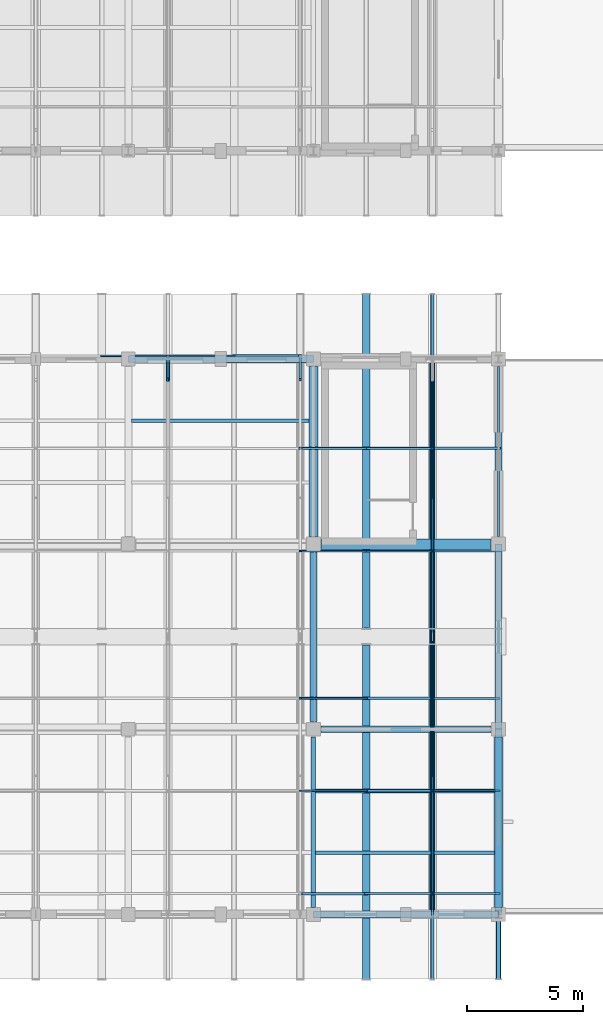
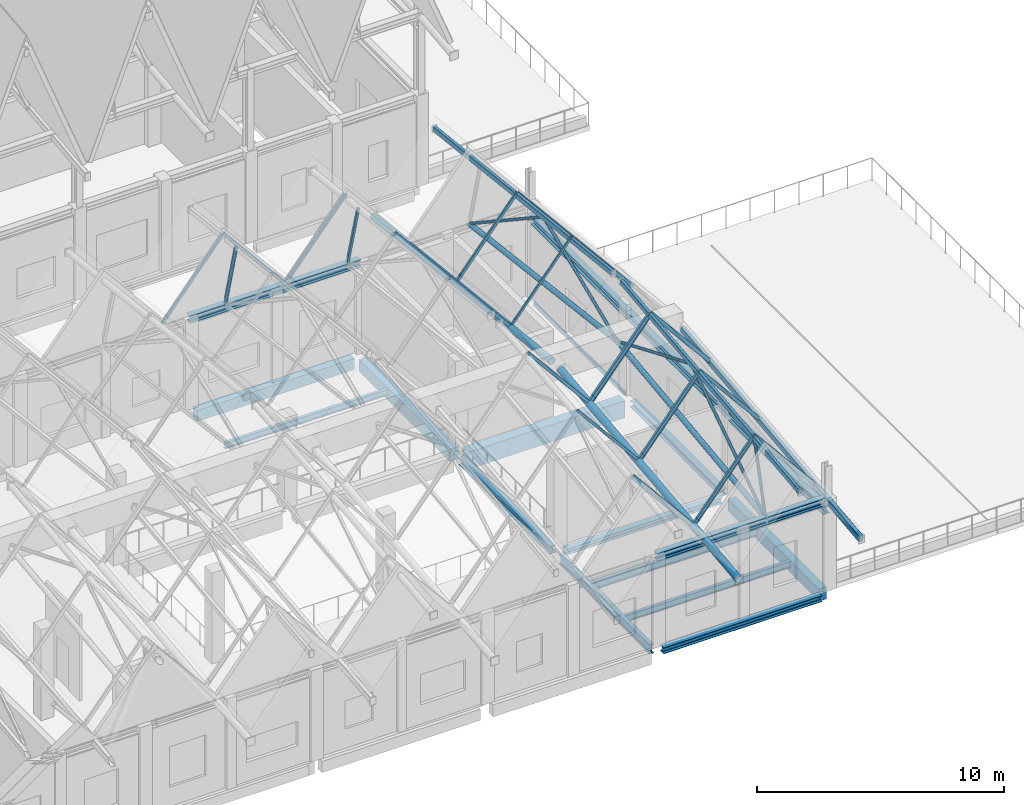
# One storey, part 13 of 77: 27 members, 23 beams.
"""IFC4 building model written with IfcOpenShell, lengths in metres."""

from ifc_helpers import new_model, si_unit, direction, frame, origin, origin_2d, place, context, subcontext, project, spatial, rectangle, hollow_rectangle, hollow_circle, i_section, extrude, material, material_profile, profile_set, type_object, element, save


model = new_model("IFC4")

# Units and contexts
model_context = context("Model", 3, precision=1e-05, world=origin(), true_north=direction((0.0, 1.0)))
body_context = subcontext(model_context, "Body", "Model", "MODEL_VIEW")
ifc_project = project(units=[si_unit("LENGTHUNIT", "METRE"), si_unit("AREAUNIT", "SQUARE_METRE"), si_unit("VOLUMEUNIT", "CUBIC_METRE"), si_unit("PLANEANGLEUNIT", "RADIAN"), si_unit("MASSUNIT", "GRAM", prefix="KILO")], contexts=[model_context])

# Site, building, storey
site_placement = place(None, origin())
site = spatial("IfcSite", under=ifc_project, at=site_placement, CompositionType="ELEMENT")
building_placement = place(site_placement, origin())
building = spatial("IfcBuilding", under=site, at=building_placement, Name="Luwemba Playhouse", CompositionType="ELEMENT")
storey_placement = place(building_placement, frame((0.0, 0.0, 9.300048828125)))
storey = spatial("IfcBuildingStorey", under=building, at=storey_placement, Name="L02", CompositionType="ELEMENT", Elevation=9.300048828125)

# Beams
ifc_material_1 = material(Name="Concrete C40/50", Category="concrete")
ifc_material_profile_1 = material_profile(ifc_material_1, rectangle(XDim=0.39990234375, YDim=0.60009765625, at=origin_2d()))
ifc_profile_set_1 = profile_set([ifc_material_profile_1], Name="Concrete C40/50")
beam_type_1 = type_object("IfcBeamType", Name="BM-RB01", PredefinedType="BEAM", material=ifc_profile_set_1)
beam_1_placement = place(storey_placement, frame((36.0, 19.324951171875, -0.550048828125), z_axis=(0.0, 1.0, 0.0), x_axis=(-1.0, 0.0, 0.0)))
element("IfcBeam", 1, at=beam_1_placement, inside=storey, type_object=beam_type_1, Name="L02 transverse girder 0792", PredefinedType="BEAM", context=body_context, shape_type="SweptSolid", body=[
    extrude(rectangle(XDim=0.39990234375, YDim=0.60009765625, at=origin_2d()), origin(), (0.0, 0.0, 1.0), 7.35009765625),
])
ifc_material_profile_2 = material_profile(ifc_material_1, rectangle(XDim=0.449951171875, YDim=0.85009765625, at=origin_2d()))
ifc_profile_set_2 = profile_set([ifc_material_profile_2], Name="Concrete C40/50")
beam_type_2 = type_object("IfcBeamType", Name="BM-RB05", PredefinedType="BEAM", material=ifc_profile_set_2)
beam_2_placement = place(storey_placement, frame((36.324951171875, 19.0, -0.675048828125), z_axis=(1.0, 0.0, 0.0), x_axis=(0.0, 1.0, 0.0)))
element("IfcBeam", 2, at=beam_2_placement, inside=storey, type_object=beam_type_2, Name="L02 grid girder 0773", PredefinedType="BEAM", context=body_context, shape_type="SweptSolid", body=[
    extrude(rectangle(XDim=0.449951171875, YDim=0.85009765625, at=origin_2d()), origin(), (0.0, 0.0, 1.0), 7.35009765625),
])
ifc_material_2 = material(Name="Steel S355", Category="steel")
ifc_material_profile_3 = material_profile(ifc_material_2, hollow_rectangle(XDim=0.14990234375, YDim=0.25, WallThickness=0.010009765625, InnerFilletRadius=0.014892578125, OuterFilletRadius=0.02490234375, at=origin_2d()))
ifc_profile_set_3 = profile_set([ifc_material_profile_3], Name="Steel S355")
beam_type_3 = type_object("IfcBeamType", Name="BM-RTG1", PredefinedType="USERDEFINED", material=ifc_profile_set_3)
for number, where, z_axis, x_axis, name in (
    (3, (41.142822265625, 0.199951171875, 7.391357421875), (0.0, 0.993769566516, 0.111454244725), (-1.0, 0.0, 0.0), "ROOF TRUSS ridge girder 0287"),
    (4, (41.142822265625, 15.35009765625, 9.011962890625), (0.0, 0.993769566516, -0.111454244725), (-1.0, 0.0, 0.0), "ROOF TRUSS ridge girder 0288"),
):
    element("IfcBeam", number, at=place(storey_placement, frame(where, z_axis=z_axis, x_axis=x_axis)), inside=storey, type_object=beam_type_3, Name=name, ObjectType="ROOF TRUSS", PredefinedType="USERDEFINED", context=body_context, shape_type="SweptSolid", body=[
        extrude(hollow_rectangle(XDim=0.14990234375, YDim=0.25, WallThickness=0.010009765625, InnerFilletRadius=0.014892578125, OuterFilletRadius=0.02490234375, at=origin_2d()), origin(), (0.0, 0.0, 1.0), 14.54052734375),
    ])
ifc_material_profile_4 = material_profile(ifc_material_2, hollow_rectangle(XDim=0.199951171875, YDim=0.300048828125, WallThickness=0.012451171875, InnerFilletRadius=0.018798828125, OuterFilletRadius=0.03125, at=origin_2d()))
ifc_profile_set_4 = profile_set([ifc_material_profile_4], Name="Steel S355")
beam_type_4 = type_object("IfcBeamType", Name="BM-RTG2", PredefinedType="USERDEFINED", material=ifc_profile_set_4)
beam_3_placement = place(storey_placement, frame((44.0, 0.199951171875, 4.061279296875), z_axis=(0.0, 0.993767706686, 0.111470826443), x_axis=(-1.0, 0.0, 0.0)))
element("IfcBeam", 5, at=beam_3_placement, inside=storey, type_object=beam_type_4, Name="ROOF TRUSS valley girder 0289", ObjectType="ROOF TRUSS", PredefinedType="USERDEFINED", context=body_context, shape_type="SweptSolid", body=[
    extrude(hollow_rectangle(XDim=0.199951171875, YDim=0.300048828125, WallThickness=0.012451171875, InnerFilletRadius=0.018798828125, OuterFilletRadius=0.03125, at=origin_2d()), origin(), (0.0, 0.0, 1.0), 14.54052734375),
])
ifc_material_profile_5 = material_profile(ifc_material_2, hollow_circle(Radius=0.161865234375, WallThickness=0.01611328125, at=origin_2d()))
ifc_profile_set_5 = profile_set([ifc_material_profile_5], Name="Steel S355")
beam_type_5 = type_object("IfcBeamType", Name="BM-RTG4", PredefinedType="USERDEFINED", material=ifc_profile_set_5)
for number, where, z_axis, x_axis, name in (
    (6, (38.28564453125, 0.199951171875, 4.04931640625), (0.0, 0.993767706686, 0.111470826443), (-1.0, 0.0, 0.0), "ROOF TRUSS valley girder 0285"),
    (7, (38.28564453125, 15.35009765625, 5.670166015625), (0.0, 0.993767706686, -0.111470826443), (-1.0, 0.0, 0.0), "ROOF TRUSS valley girder 0286"),
):
    element("IfcBeam", number, at=place(storey_placement, frame(where, z_axis=z_axis, x_axis=x_axis)), inside=storey, type_object=beam_type_5, Name=name, ObjectType="ROOF TRUSS", PredefinedType="USERDEFINED", context=body_context, shape_type="SweptSolid", body=[
        extrude(hollow_circle(Radius=0.161865234375, WallThickness=0.01611328125, at=origin_2d()), origin(), (0.0, 0.0, 1.0), 14.54052734375),
    ])
ifc_material_profile_6 = material_profile(ifc_material_2, i_section(OverallWidth=0.300048828125, OverallDepth=0.2900390625, WebThickness=0.008544921875, FlangeThickness=0.013916015625, FilletRadius=0.027099609375, at=origin_2d()))
ifc_profile_set_6 = profile_set([ifc_material_profile_6], Name="Steel S355")
beam_type_6 = type_object("IfcBeamType", Name="BM-SB03", PredefinedType="BEAM", material=ifc_profile_set_6)
beam_4_placement = place(storey_placement, frame((36.324951171875, 11.0, -0.39501953125), z_axis=(1.0, 0.0, 0.0), x_axis=(0.0, 1.0, 0.0)))
element("IfcBeam", 8, at=beam_4_placement, inside=storey, type_object=beam_type_6, Name="L02 grid girder 0768", PredefinedType="BEAM", context=body_context, shape_type="SweptSolid", body=[
    extrude(i_section(OverallWidth=0.300048828125, OverallDepth=0.2900390625, WebThickness=0.008544921875, FlangeThickness=0.013916015625, FilletRadius=0.027099609375, at=origin_2d()), origin(), (0.0, 0.0, 1.0), 7.35009765625),
])
ifc_material_profile_7 = material_profile(ifc_material_2, i_section(OverallWidth=0.18994140625, OverallDepth=0.449951171875, WebThickness=0.009521484375, FlangeThickness=0.0146484375, FilletRadius=0.02099609375, at=origin_2d()))
ifc_profile_set_7 = profile_set([ifc_material_profile_7], Name="Steel S355")
beam_type_7 = type_object("IfcBeamType", Name="BM-SB06", PredefinedType="BEAM", material=ifc_profile_set_7)
beam_5_placement = place(storey_placement, frame((36.0, 3.300048828125, -0.47509765625), z_axis=(0.0, 1.0, 0.0), x_axis=(-1.0, 0.0, 0.0)))
element("IfcBeam", 9, at=beam_5_placement, inside=storey, type_object=beam_type_7, Name="L02 transverse girder 0790", PredefinedType="BEAM", context=body_context, shape_type="SweptSolid", body=[
    extrude(i_section(OverallWidth=0.18994140625, OverallDepth=0.449951171875, WebThickness=0.009521484375, FlangeThickness=0.0146484375, FilletRadius=0.02099609375, at=origin_2d()), origin(), (0.0, 0.0, 1.0), 7.375),
])
ifc_material_profile_8 = material_profile(ifc_material_2, i_section(OverallWidth=0.300048828125, OverallDepth=0.360107421875, WebThickness=0.012451171875, FlangeThickness=0.0224609375, FilletRadius=0.027099609375, at=origin_2d()))
ifc_profile_set_8 = profile_set([ifc_material_profile_8], Name="Steel S355")
beam_type_8 = type_object("IfcBeamType", Name="BM-SB09", PredefinedType="BEAM", material=ifc_profile_set_8)
beam_6_placement = place(storey_placement, frame((36.0, 11.324951171875, -0.429931640625), z_axis=(0.0, 1.0, 0.0), x_axis=(-1.0, 0.0, 0.0)))
element("IfcBeam", 10, at=beam_6_placement, inside=storey, type_object=beam_type_8, Name="L02 transverse girder 0791", PredefinedType="BEAM", context=body_context, shape_type="SweptSolid", body=[
    extrude(i_section(OverallWidth=0.300048828125, OverallDepth=0.360107421875, WebThickness=0.012451171875, FlangeThickness=0.0224609375, FilletRadius=0.027099609375, at=origin_2d()), origin(), (0.0, 0.0, 1.0), 7.35009765625),
])
for number, where, z_axis, x_axis, name in (
    (11, (36.0, 3.0, 4.320068359375), (1.0, 0.0, 0.0), (0.0, 1.0, 0.0), "RF-V5W eave ring beam 0246"),
    (12, (28.0, 27.0, 4.320068359375), (1.0, 0.0, 0.0), (0.0, 1.0, 0.0), "RF-V5W eave ring beam 0250"),
    (13, (44.0, 3.0, 3.780029296875), (0.0, 1.0, 0.0), (-1.0, 0.0, 0.0), "RF-V5W gable ring beam 0255"),
    (14, (44.0, 11.0, 3.780029296875), (0.0, 1.0, 0.0), (-1.0, 0.0, 0.0), "RF-V5W gable ring beam 0256"),
    (15, (44.0, 19.0, 3.780029296875), (0.0, 1.0, 0.0), (-1.0, 0.0, 0.0), "RF-V5W gable ring beam 0257"),
):
    element("IfcBeam", number, at=place(storey_placement, frame(where, z_axis=z_axis, x_axis=x_axis)), inside=storey, type_object=beam_type_8, Name=name, PredefinedType="BEAM", context=body_context, shape_type="SweptSolid", body=[
        extrude(i_section(OverallWidth=0.300048828125, OverallDepth=0.360107421875, WebThickness=0.012451171875, FlangeThickness=0.0224609375, FilletRadius=0.027099609375, at=origin_2d()), origin(), (0.0, 0.0, 1.0), 8.0),
    ])
ifc_material_profile_9 = material_profile(ifc_material_2, i_section(OverallWidth=0.14990234375, OverallDepth=0.300048828125, WebThickness=0.007080078125, FlangeThickness=0.0107421875, FilletRadius=0.014892578125, at=origin_2d()))
ifc_profile_set_9 = profile_set([ifc_material_profile_9], Name="Steel S355")
beam_type_9 = type_object("IfcBeamType", Name="BM-SJ05", PredefinedType="JOIST", material=ifc_profile_set_9)
beam_7_placement = place(storey_placement, frame((28.14599609375, 24.333251953125, -0.400146484375), z_axis=(1.0, 0.0, 0.0), x_axis=(0.0, 1.0, 0.0)))
element("IfcBeam", 16, at=beam_7_placement, inside=storey, type_object=beam_type_9, Name="L02 composite floor joist 0461", PredefinedType="JOIST", context=body_context, shape_type="SweptSolid", body=[
    extrude(i_section(OverallWidth=0.14990234375, OverallDepth=0.300048828125, WebThickness=0.007080078125, FlangeThickness=0.0107421875, FilletRadius=0.014892578125, at=origin_2d()), origin(), (0.0, 0.0, 1.0), 7.657958984375),
])
ifc_material_profile_10 = material_profile(ifc_material_2, i_section(OverallWidth=0.159912109375, OverallDepth=0.330078125, WebThickness=0.007568359375, FlangeThickness=0.011474609375, FilletRadius=0.01806640625, at=origin_2d()))
ifc_profile_set_10 = profile_set([ifc_material_profile_10], Name="Steel S355")
beam_type_10 = type_object("IfcBeamType", Name="BM-SJ06", PredefinedType="JOIST", material=ifc_profile_set_10)
beam_8_placement = place(storey_placement, frame((36.091064453125, 5.666748046875, -0.4150390625), z_axis=(1.0, 0.0, 0.0), x_axis=(0.0, 1.0, 0.0)))
element("IfcBeam", 17, at=beam_8_placement, inside=storey, type_object=beam_type_10, Name="L02 composite floor joist 0462", PredefinedType="JOIST", context=body_context, shape_type="SweptSolid", body=[
    extrude(i_section(OverallWidth=0.159912109375, OverallDepth=0.330078125, WebThickness=0.007568359375, FlangeThickness=0.011474609375, FilletRadius=0.01806640625, at=origin_2d()), origin(), (0.0, 0.0, 1.0), 7.738037109375),
])
ifc_material_profile_11 = material_profile(ifc_material_2, i_section(OverallWidth=0.169921875, OverallDepth=0.360107421875, WebThickness=0.008056640625, FlangeThickness=0.0126953125, FilletRadius=0.01806640625, at=origin_2d()))
ifc_profile_set_11 = profile_set([ifc_material_profile_11], Name="Steel S355")
beam_type_11 = type_object("IfcBeamType", Name="BM-SJ07", PredefinedType="JOIST", material=ifc_profile_set_11)
beam_9_placement = place(storey_placement, frame((36.091064453125, 8.333251953125, -0.429931640625), z_axis=(1.0, 0.0, 0.0), x_axis=(0.0, 1.0, 0.0)))
element("IfcBeam", 18, at=beam_9_placement, inside=storey, type_object=beam_type_11, Name="L02 composite floor joist 0463", PredefinedType="JOIST", context=body_context, shape_type="SweptSolid", body=[
    extrude(i_section(OverallWidth=0.169921875, OverallDepth=0.360107421875, WebThickness=0.008056640625, FlangeThickness=0.0126953125, FilletRadius=0.01806640625, at=origin_2d()), origin(), (0.0, 0.0, 1.0), 7.738037109375),
])
ifc_material_profile_12 = material_profile(ifc_material_1, rectangle(XDim=0.35009765625, YDim=0.550048828125, at=origin_2d()))
ifc_profile_set_12 = profile_set([ifc_material_profile_12], Name="Concrete C40/50")
beam_type_12 = type_object("IfcBeamType", Name="BM-SP2", PredefinedType="SPANDREL", material=ifc_profile_set_12)
beam_10_placement = place(storey_placement, frame((28.324951171875, 27.0, -0.525146484375), z_axis=(1.0, 0.0, 0.0), x_axis=(0.0, 1.0, 0.0)))
element("IfcBeam", 19, at=beam_10_placement, inside=storey, type_object=beam_type_12, Name="L02 grid girder 0777", PredefinedType="SPANDREL", context=body_context, shape_type="SweptSolid", body=[
    extrude(rectangle(XDim=0.35009765625, YDim=0.550048828125, at=origin_2d()), origin(), (0.0, 0.0, 1.0), 7.35009765625),
])
ifc_material_profile_13 = material_profile(ifc_material_1, rectangle(XDim=0.35009765625, YDim=0.60009765625, at=origin_2d()))
ifc_profile_set_13 = profile_set([ifc_material_profile_13], Name="Concrete C40/50")
beam_type_13 = type_object("IfcBeamType", Name="BM-SP3", PredefinedType="SPANDREL", material=ifc_profile_set_13)
beam_11_placement = place(storey_placement, frame((44.0, 3.300048828125, -0.550048828125), z_axis=(0.0, 1.0, 0.0), x_axis=(-1.0, 0.0, 0.0)))
element("IfcBeam", 20, at=beam_11_placement, inside=storey, type_object=beam_type_13, Name="L02 transverse girder 0793", PredefinedType="SPANDREL", context=body_context, shape_type="SweptSolid", body=[
    extrude(rectangle(XDim=0.35009765625, YDim=0.60009765625, at=origin_2d()), origin(), (0.0, 0.0, 1.0), 7.375),
])
ifc_material_profile_14 = material_profile(ifc_material_2, i_section(OverallWidth=0.300048828125, OverallDepth=0.300048828125, WebThickness=0.010986328125, FlangeThickness=0.01904296875, FilletRadius=0.027099609375, at=origin_2d()))
ifc_profile_set_14 = profile_set([ifc_material_profile_14], Name="Steel S355")
beam_type_14 = type_object("IfcBeamType", Name="BM-SSP1", PredefinedType="SPANDREL", material=ifc_profile_set_14)
beam_12_placement = place(storey_placement, frame((36.300048828125, 3.0, -0.400146484375), z_axis=(1.0, 0.0, 0.0), x_axis=(0.0, 1.0, 0.0)))
element("IfcBeam", 21, at=beam_12_placement, inside=storey, type_object=beam_type_14, Name="L02 grid girder 0763", PredefinedType="SPANDREL", context=body_context, shape_type="SweptSolid", body=[
    extrude(i_section(OverallWidth=0.300048828125, OverallDepth=0.300048828125, WebThickness=0.010986328125, FlangeThickness=0.01904296875, FilletRadius=0.027099609375, at=origin_2d()), origin(), (0.0, 0.0, 1.0), 7.39990234375),
])
beam_13_placement = place(storey_placement, frame((44.0, 11.324951171875, -0.400146484375), z_axis=(0.0, 1.0, 0.0), x_axis=(-1.0, 0.0, 0.0)))
element("IfcBeam", 22, at=beam_13_placement, inside=storey, type_object=beam_type_14, Name="L02 transverse girder 0794", PredefinedType="SPANDREL", context=body_context, shape_type="SweptSolid", body=[
    extrude(i_section(OverallWidth=0.300048828125, OverallDepth=0.300048828125, WebThickness=0.010986328125, FlangeThickness=0.01904296875, FilletRadius=0.027099609375, at=origin_2d()), origin(), (0.0, 0.0, 1.0), 7.35009765625),
])
ifc_material_profile_15 = material_profile(ifc_material_2, hollow_rectangle(XDim=0.10009765625, YDim=0.199951171875, WallThickness=0.008056640625, InnerFilletRadius=0.011962890625, OuterFilletRadius=0.02001953125, at=origin_2d()))
ifc_profile_set_15 = profile_set([ifc_material_profile_15], Name="Steel S355")
beam_type_15 = type_object("IfcBeamType", Name="BM-SSP2", PredefinedType="SPANDREL", material=ifc_profile_set_15)
beam_14_placement = place(storey_placement, frame((44.0, 19.324951171875, -0.35009765625), z_axis=(0.0, 1.0, 0.0), x_axis=(-1.0, 0.0, 0.0)))
element("IfcBeam", 23, at=beam_14_placement, inside=storey, type_object=beam_type_15, Name="L02 transverse girder 0795", PredefinedType="SPANDREL", context=body_context, shape_type="SweptSolid", body=[
    extrude(hollow_rectangle(XDim=0.10009765625, YDim=0.199951171875, WallThickness=0.008056640625, InnerFilletRadius=0.011962890625, OuterFilletRadius=0.02001953125, at=origin_2d()), origin(), (0.0, 0.0, 1.0), 7.35009765625),
])

# Members
ifc_material_profile_16 = material_profile(ifc_material_2, hollow_circle(Radius=0.06982421875, WallThickness=0.008056640625, at=origin_2d()))
ifc_profile_set_16 = profile_set([ifc_material_profile_16], Name="Steel S355")
member_type_1 = type_object("IfcMemberType", Name="MEM-MB01", PredefinedType="BRACE", material=ifc_profile_set_16)
member_1_placement = place(storey_placement, frame((41.142822265625, 3.0, 4.39990234375), z_axis=(0.0, 0.833425084447, 0.552632453457), x_axis=(-1.0, 0.0, 0.0)))
element("IfcMember", 24, at=member_1_placement, inside=storey, type_object=member_type_1, Name="ROOF TRUSS web diagonal 0261", PredefinedType="BRACE", context=body_context, shape_type="SweptSolid", body=[
    extrude(hollow_circle(Radius=0.06982421875, WallThickness=0.008056640625, at=origin_2d()), origin(), (0.0, 0.0, 1.0), 7.19921875),
])
for number, where, z_axis, x_axis, name in (
    (25, (41.142822265625, 15.0, 5.865966796875), (0.0, -0.922395901699, 0.38624577736), (1.0, 0.0, 0.0), "ROOF TRUSS web diagonal 0262"),
    (26, (41.142822265625, 15.0, 5.865966796875), (0.0, 0.922395901699, 0.38624577736), (-1.0, 0.0, 0.0), "ROOF TRUSS web diagonal 0263"),
):
    element("IfcMember", number, at=place(storey_placement, frame(where, z_axis=z_axis, x_axis=x_axis)), inside=storey, type_object=member_type_1, Name=name, PredefinedType="BRACE", context=body_context, shape_type="SweptSolid", body=[
        extrude(hollow_circle(Radius=0.06982421875, WallThickness=0.008056640625, at=origin_2d()), origin(), (0.0, 0.0, 1.0), 6.5048828125),
    ])
member_2_placement = place(storey_placement, frame((41.142822265625, 27.0, 4.39990234375), z_axis=(0.0, -0.833425084447, 0.552632453457), x_axis=(1.0, 0.0, 0.0)))
element("IfcMember", 27, at=member_2_placement, inside=storey, type_object=member_type_1, Name="ROOF TRUSS web diagonal 0264", PredefinedType="BRACE", context=body_context, shape_type="SweptSolid", body=[
    extrude(hollow_circle(Radius=0.06982421875, WallThickness=0.008056640625, at=origin_2d()), origin(), (0.0, 0.0, 1.0), 7.19921875),
])
member_3_placement = place(storey_placement, frame((41.142822265625, 3.0, 4.39990234375), z_axis=(0.0, 0.255427788816, 0.966828136072), x_axis=(-1.0, 0.0, 0.0)))
element("IfcMember", 28, at=member_3_placement, inside=storey, type_object=member_type_1, Name="ROOF TRUSS eave knee strut 0070", PredefinedType="BRACE", context=body_context, shape_type="SweptSolid", body=[
    extrude(hollow_circle(Radius=0.06982421875, WallThickness=0.008056640625, at=origin_2d()), origin(), (0.0, 0.0, 1.0), 3.523193359375),
])
ifc_material_profile_17 = material_profile(ifc_material_2, hollow_circle(Radius=0.084228515625, WallThickness=0.008056640625, at=origin_2d()))
ifc_profile_set_17 = profile_set([ifc_material_profile_17], Name="Steel S355")
member_type_2 = type_object("IfcMemberType", Name="MEM-MB02", PredefinedType="BRACE", material=ifc_profile_set_17)
member_4_placement = place(storey_placement, frame((29.71435546875, 27.0, 4.39990234375), z_axis=(0.0, -0.255427788816, 0.966828136072), x_axis=(1.0, 0.0, 0.0)))
element("IfcMember", 29, at=member_4_placement, inside=storey, type_object=member_type_2, Name="ROOF TRUSS eave knee strut 0067", PredefinedType="BRACE", context=body_context, shape_type="SweptSolid", body=[
    extrude(hollow_circle(Radius=0.084228515625, WallThickness=0.008056640625, at=origin_2d()), origin(), (0.0, 0.0, 1.0), 3.523193359375),
])
ifc_material_profile_18 = material_profile(ifc_material_2, hollow_rectangle(XDim=0.1201171875, YDim=0.1201171875, WallThickness=0.008056640625, InnerFilletRadius=0.011962890625, OuterFilletRadius=0.02001953125, at=origin_2d()))
ifc_profile_set_18 = profile_set([ifc_material_profile_18], Name="Steel S355")
member_type_3 = type_object("IfcMemberType", Name="MEM-MB06", PredefinedType="BRACE", material=ifc_profile_set_18)
member_5_placement = place(storey_placement, frame((35.4287109375, 27.0, 4.39990234375), z_axis=(0.0, -0.261573871776, 0.96518345904), x_axis=(1.0, 0.0, 0.0)))
element("IfcMember", 30, at=member_5_placement, inside=storey, type_object=member_type_3, Name="ROOF TRUSS eave knee strut 0069", PredefinedType="BRACE", context=body_context, shape_type="SweptSolid", body=[
    extrude(hollow_rectangle(XDim=0.1201171875, YDim=0.1201171875, WallThickness=0.008056640625, InnerFilletRadius=0.011962890625, OuterFilletRadius=0.02001953125, at=origin_2d()), origin(), (0.0, 0.0, 1.0), 3.4404296875),
])
ifc_material_profile_19 = material_profile(ifc_material_2, hollow_circle(Radius=0.122314453125, WallThickness=0.012451171875, at=origin_2d()))
ifc_profile_set_19 = profile_set([ifc_material_profile_19], Name="Steel S355")
member_type_4 = type_object("IfcMemberType", Name="MEM-MC01", PredefinedType="CHORD", material=ifc_profile_set_19)
for number, where, z_axis, x_axis, name in (
    (31, (41.142822265625, 3.0, 4.39990234375), (0.0, 0.99261951546, 0.121270348924), (-1.0, 0.0, 0.0), "ROOF TRUSS south bottom chord 0259"),
    (32, (41.142822265625, 15.0, 5.865966796875), (0.0, 0.99261951546, -0.121270348924), (-1.0, 0.0, 0.0), "ROOF TRUSS north bottom chord 0260"),
):
    element("IfcMember", number, at=place(storey_placement, frame(where, z_axis=z_axis, x_axis=x_axis)), inside=storey, type_object=member_type_4, Name=name, PredefinedType="CHORD", context=body_context, shape_type="SweptSolid", body=[
        extrude(hollow_circle(Radius=0.122314453125, WallThickness=0.012451171875, at=origin_2d()), origin(), (0.0, 0.0, 1.0), 12.089111328125),
    ])
ifc_material_profile_20 = material_profile(ifc_material_2, hollow_rectangle(XDim=0.080078125, YDim=0.1201171875, WallThickness=0.00634765625, InnerFilletRadius=0.009521484375, OuterFilletRadius=0.015869140625, at=origin_2d()))
ifc_profile_set_20 = profile_set([ifc_material_profile_20], Name="Steel S355")
member_type_5 = type_object("IfcMemberType", Name="MEM-MP01", PredefinedType="PURLIN", material=ifc_profile_set_20)
for number, where, z_axis, x_axis, name in (
    (33, (29.71435546875, 27.135986328125, 7.86083984375), (0.637351442582, 0.0, -0.77057325326), (0.0, 1.0, 0.0), "Pleated roof purlin 0504"),
    (34, (35.4287109375, 8.340087890625, 8.474853515625), (0.637378192581, 0.0, -0.770551127196), (0.0, 1.0, 0.0), "Pleated roof purlin 0512"),
):
    element("IfcMember", number, at=place(storey_placement, frame(where, z_axis=z_axis, x_axis=x_axis)), inside=storey, type_object=member_type_5, Name=name, PredefinedType="PURLIN", context=body_context, shape_type="SweptSolid", body=[
        extrude(hollow_rectangle(XDim=0.080078125, YDim=0.1201171875, WallThickness=0.00634765625, InnerFilletRadius=0.009521484375, OuterFilletRadius=0.015869140625, at=origin_2d()), origin(), (0.0, 0.0, 1.0), 4.482421875),
    ])
member_6_placement = place(storey_placement, frame((38.28564453125, 18.699951171875, 5.35302734375), z_axis=(0.637383781398, 0.0, 0.770546504249), x_axis=(0.0, 1.0, 0.0)))
element("IfcMember", 35, at=member_6_placement, inside=storey, type_object=member_type_5, Name="Pleated roof purlin 0520", PredefinedType="PURLIN", context=body_context, shape_type="SweptSolid", body=[
    extrude(hollow_rectangle(XDim=0.080078125, YDim=0.1201171875, WallThickness=0.00634765625, InnerFilletRadius=0.009521484375, OuterFilletRadius=0.015869140625, at=origin_2d()), origin(), (0.0, 0.0, 1.0), 4.482666015625),
])
ifc_material_profile_21 = material_profile(ifc_material_2, hollow_rectangle(XDim=0.10009765625, YDim=0.14990234375, WallThickness=0.008056640625, InnerFilletRadius=0.011962890625, OuterFilletRadius=0.02001953125, at=origin_2d()))
ifc_profile_set_21 = profile_set([ifc_material_profile_21], Name="Steel S355")
member_type_6 = type_object("IfcMemberType", Name="MEM-MP02", PredefinedType="PURLIN", material=ifc_profile_set_21)
member_7_placement = place(storey_placement, frame((35.4287109375, 12.3359375, 8.89599609375), z_axis=(0.637378192581, 0.0, -0.770551127196), x_axis=(0.0, 1.0, 0.0)))
element("IfcMember", 36, at=member_7_placement, inside=storey, type_object=member_type_6, Name="Pleated roof purlin 0513", PredefinedType="PURLIN", context=body_context, shape_type="SweptSolid", body=[
    extrude(hollow_rectangle(XDim=0.10009765625, YDim=0.14990234375, WallThickness=0.008056640625, InnerFilletRadius=0.011962890625, OuterFilletRadius=0.02001953125, at=origin_2d()), origin(), (0.0, 0.0, 1.0), 4.482421875),
])
member_8_placement = place(storey_placement, frame((38.28564453125, 23.139892578125, 4.827880859375), z_axis=(0.637383781398, 0.0, 0.770546504249), x_axis=(0.0, 1.0, 0.0)))
element("IfcMember", 37, at=member_8_placement, inside=storey, type_object=member_type_6, Name="Pleated roof purlin 0521", PredefinedType="PURLIN", context=body_context, shape_type="SweptSolid", body=[
    extrude(hollow_rectangle(XDim=0.10009765625, YDim=0.14990234375, WallThickness=0.008056640625, InnerFilletRadius=0.011962890625, OuterFilletRadius=0.02001953125, at=origin_2d()), origin(), (0.0, 0.0, 1.0), 4.482666015625),
])
ifc_material_profile_22 = material_profile(ifc_material_2, hollow_rectangle(XDim=0.080078125, YDim=0.159912109375, WallThickness=0.00634765625, InnerFilletRadius=0.009521484375, OuterFilletRadius=0.015869140625, at=origin_2d()))
ifc_profile_set_22 = profile_set([ifc_material_profile_22], Name="Steel S355")
member_type_7 = type_object("IfcMemberType", Name="MEM-MP03", PredefinedType="PURLIN", material=ifc_profile_set_22)
member_9_placement = place(storey_placement, frame((26.857177734375, 27.135986328125, 4.38671875), z_axis=(0.637383781398, 0.0, 0.770546504249), x_axis=(0.0, 1.0, 0.0)))
element("IfcMember", 38, at=member_9_placement, inside=storey, type_object=member_type_7, Name="Pleated roof purlin 0498", PredefinedType="PURLIN", context=body_context, shape_type="SweptSolid", body=[
    extrude(hollow_rectangle(XDim=0.080078125, YDim=0.159912109375, WallThickness=0.00634765625, InnerFilletRadius=0.009521484375, OuterFilletRadius=0.015869140625, at=origin_2d()), origin(), (0.0, 0.0, 1.0), 4.482666015625),
])
member_10_placement = place(storey_placement, frame((35.4287109375, 18.699951171875, 8.786865234375), z_axis=(0.637378192581, 0.0, -0.770551127196), x_axis=(0.0, 1.0, 0.0)))
element("IfcMember", 39, at=member_10_placement, inside=storey, type_object=member_type_7, Name="Pleated roof purlin 0514", PredefinedType="PURLIN", context=body_context, shape_type="SweptSolid", body=[
    extrude(hollow_rectangle(XDim=0.080078125, YDim=0.159912109375, WallThickness=0.00634765625, InnerFilletRadius=0.009521484375, OuterFilletRadius=0.015869140625, at=origin_2d()), origin(), (0.0, 0.0, 1.0), 4.482421875),
])
ifc_material_profile_23 = material_profile(ifc_material_2, hollow_rectangle(XDim=0.10009765625, YDim=0.179931640625, WallThickness=0.008056640625, InnerFilletRadius=0.011962890625, OuterFilletRadius=0.02001953125, at=origin_2d()))
ifc_profile_set_23 = profile_set([ifc_material_profile_23], Name="Steel S355")
member_type_8 = type_object("IfcMemberType", Name="MEM-MP04", PredefinedType="PURLIN", material=ifc_profile_set_23)
for number, where, z_axis, x_axis, name in (
    (40, (35.4287109375, 23.139892578125, 8.266845703125), (0.637378192581, 0.0, -0.770551127196), (0.0, 1.0, 0.0), "Pleated roof purlin 0515"),
    (41, (41.142822265625, 3.89990234375, 7.934814453125), (0.637410530898, 0.0, -0.770524376708), (0.0, 1.0, 0.0), "Pleated roof purlin 0523"),
):
    element("IfcMember", number, at=place(storey_placement, frame(where, z_axis=z_axis, x_axis=x_axis)), inside=storey, type_object=member_type_8, Name=name, PredefinedType="PURLIN", context=body_context, shape_type="SweptSolid", body=[
        extrude(hollow_rectangle(XDim=0.10009765625, YDim=0.179931640625, WallThickness=0.008056640625, InnerFilletRadius=0.011962890625, OuterFilletRadius=0.02001953125, at=origin_2d()), origin(), (0.0, 0.0, 1.0), 4.482421875),
    ])
ifc_material_profile_24 = material_profile(ifc_material_2, i_section(OverallWidth=0.08203125, OverallDepth=0.159912109375, WebThickness=0.0048828125, FlangeThickness=0.00732421875, FilletRadius=0.009033203125, at=origin_2d()))
ifc_profile_set_24 = profile_set([ifc_material_profile_24], Name="Steel S355")
member_type_9 = type_object("IfcMemberType", Name="MEM-MP05", PredefinedType="PURLIN", material=ifc_profile_set_24)
member_11_placement = place(storey_placement, frame((41.142822265625, 8.340087890625, 8.453857421875), z_axis=(0.637383781398, 0.0, -0.770546504249), x_axis=(0.0, 1.0, 0.0)))
element("IfcMember", 42, at=member_11_placement, inside=storey, type_object=member_type_9, Name="Pleated roof purlin 0524", PredefinedType="PURLIN", context=body_context, shape_type="SweptSolid", body=[
    extrude(i_section(OverallWidth=0.08203125, OverallDepth=0.159912109375, WebThickness=0.0048828125, FlangeThickness=0.00732421875, FilletRadius=0.009033203125, at=origin_2d()), origin(), (0.0, 0.0, 1.0), 4.482666015625),
])
ifc_material_profile_25 = material_profile(ifc_material_2, i_section(OverallWidth=0.091064453125, OverallDepth=0.179931640625, WebThickness=0.00537109375, FlangeThickness=0.008056640625, FilletRadius=0.009033203125, at=origin_2d()))
ifc_profile_set_25 = profile_set([ifc_material_profile_25], Name="Steel S355")
member_type_10 = type_object("IfcMemberType", Name="MEM-MP06", PredefinedType="PURLIN", material=ifc_profile_set_25)
member_12_placement = place(storey_placement, frame((38.28564453125, 3.89990234375, 4.486328125), z_axis=(0.637383781398, 0.0, 0.770546504249), x_axis=(0.0, 1.0, 0.0)))
element("IfcMember", 43, at=member_12_placement, inside=storey, type_object=member_type_10, Name="Pleated roof purlin 0517", PredefinedType="PURLIN", context=body_context, shape_type="SweptSolid", body=[
    extrude(i_section(OverallWidth=0.091064453125, OverallDepth=0.179931640625, WebThickness=0.00537109375, FlangeThickness=0.008056640625, FilletRadius=0.009033203125, at=origin_2d()), origin(), (0.0, 0.0, 1.0), 4.482666015625),
])
member_13_placement = place(storey_placement, frame((41.142822265625, 12.3359375, 8.886474609375), z_axis=(0.637410530898, 0.0, -0.770524376708), x_axis=(0.0, 1.0, 0.0)))
element("IfcMember", 44, at=member_13_placement, inside=storey, type_object=member_type_10, Name="Pleated roof purlin 0525", PredefinedType="PURLIN", context=body_context, shape_type="SweptSolid", body=[
    extrude(i_section(OverallWidth=0.091064453125, OverallDepth=0.179931640625, WebThickness=0.00537109375, FlangeThickness=0.008056640625, FilletRadius=0.009033203125, at=origin_2d()), origin(), (0.0, 0.0, 1.0), 4.482421875),
])
ifc_material_profile_26 = material_profile(ifc_material_2, i_section(OverallWidth=0.10009765625, OverallDepth=0.199951171875, WebThickness=0.005615234375, FlangeThickness=0.008544921875, FilletRadius=0.011962890625, at=origin_2d()))
ifc_profile_set_26 = profile_set([ifc_material_profile_26], Name="Steel S355")
member_type_11 = type_object("IfcMemberType", Name="MEM-MP07", PredefinedType="PURLIN", material=ifc_profile_set_26)
member_14_placement = place(storey_placement, frame((32.5712890625, 27.135986328125, 4.354736328125), z_axis=(0.637416116848, 0.0, 0.770519755738), x_axis=(0.0, 1.0, 0.0)))
element("IfcMember", 45, at=member_14_placement, inside=storey, type_object=member_type_11, Name="Pleated roof purlin 0510", PredefinedType="PURLIN", context=body_context, shape_type="SweptSolid", body=[
    extrude(i_section(OverallWidth=0.10009765625, OverallDepth=0.199951171875, WebThickness=0.005615234375, FlangeThickness=0.008544921875, FilletRadius=0.011962890625, at=origin_2d()), origin(), (0.0, 0.0, 1.0), 4.48291015625),
])
member_15_placement = place(storey_placement, frame((38.28564453125, 8.340087890625, 4.96875), z_axis=(0.637383781398, 0.0, 0.770546504249), x_axis=(0.0, 1.0, 0.0)))
element("IfcMember", 46, at=member_15_placement, inside=storey, type_object=member_type_11, Name="Pleated roof purlin 0518", PredefinedType="PURLIN", context=body_context, shape_type="SweptSolid", body=[
    extrude(i_section(OverallWidth=0.10009765625, OverallDepth=0.199951171875, WebThickness=0.005615234375, FlangeThickness=0.008544921875, FilletRadius=0.011962890625, at=origin_2d()), origin(), (0.0, 0.0, 1.0), 4.482666015625),
])
member_16_placement = place(storey_placement, frame((41.142822265625, 18.699951171875, 8.7548828125), z_axis=(0.637410530898, 0.0, -0.770524376708), x_axis=(0.0, 1.0, 0.0)))
element("IfcMember", 47, at=member_16_placement, inside=storey, type_object=member_type_11, Name="Pleated roof purlin 0526", PredefinedType="PURLIN", context=body_context, shape_type="SweptSolid", body=[
    extrude(i_section(OverallWidth=0.10009765625, OverallDepth=0.199951171875, WebThickness=0.005615234375, FlangeThickness=0.008544921875, FilletRadius=0.011962890625, at=origin_2d()), origin(), (0.0, 0.0, 1.0), 4.482421875),
])
ifc_material_profile_27 = material_profile(ifc_material_2, i_section(OverallWidth=0.110107421875, OverallDepth=0.219970703125, WebThickness=0.005859375, FlangeThickness=0.00927734375, FilletRadius=0.011962890625, at=origin_2d()))
ifc_profile_set_27 = profile_set([ifc_material_profile_27], Name="Steel S355")
member_type_12 = type_object("IfcMemberType", Name="MEM-MP08", PredefinedType="PURLIN", material=ifc_profile_set_27)
member_17_placement = place(storey_placement, frame((35.4287109375, 3.89990234375, 7.908935546875), z_axis=(0.637351442582, 0.0, -0.77057325326), x_axis=(0.0, 1.0, 0.0)))
element("IfcMember", 48, at=member_17_placement, inside=storey, type_object=member_type_12, Name="Pleated roof purlin 0511", PredefinedType="PURLIN", context=body_context, shape_type="SweptSolid", body=[
    extrude(i_section(OverallWidth=0.110107421875, OverallDepth=0.219970703125, WebThickness=0.005859375, FlangeThickness=0.00927734375, FilletRadius=0.011962890625, at=origin_2d()), origin(), (0.0, 0.0, 1.0), 4.482421875),
])
member_18_placement = place(storey_placement, frame((38.28564453125, 12.3359375, 5.401123046875), z_axis=(0.637383781398, 0.0, 0.770546504249), x_axis=(0.0, 1.0, 0.0)))
element("IfcMember", 49, at=member_18_placement, inside=storey, type_object=member_type_12, Name="Pleated roof purlin 0519", PredefinedType="PURLIN", context=body_context, shape_type="SweptSolid", body=[
    extrude(i_section(OverallWidth=0.110107421875, OverallDepth=0.219970703125, WebThickness=0.005859375, FlangeThickness=0.00927734375, FilletRadius=0.011962890625, at=origin_2d()), origin(), (0.0, 0.0, 1.0), 4.482666015625),
])
member_19_placement = place(storey_placement, frame((41.142822265625, 23.139892578125, 8.24072265625), z_axis=(0.637410530898, 0.0, -0.770524376708), x_axis=(0.0, 1.0, 0.0)))
element("IfcMember", 50, at=member_19_placement, inside=storey, type_object=member_type_12, Name="Pleated roof purlin 0527", PredefinedType="PURLIN", context=body_context, shape_type="SweptSolid", body=[
    extrude(i_section(OverallWidth=0.110107421875, OverallDepth=0.219970703125, WebThickness=0.005859375, FlangeThickness=0.00927734375, FilletRadius=0.011962890625, at=origin_2d()), origin(), (0.0, 0.0, 1.0), 4.482421875),
])

save(model, "model.ifc")
